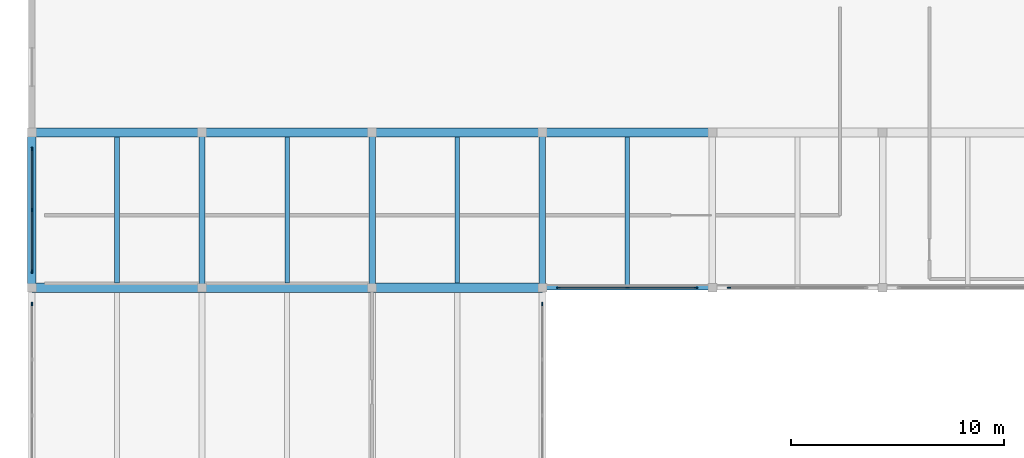
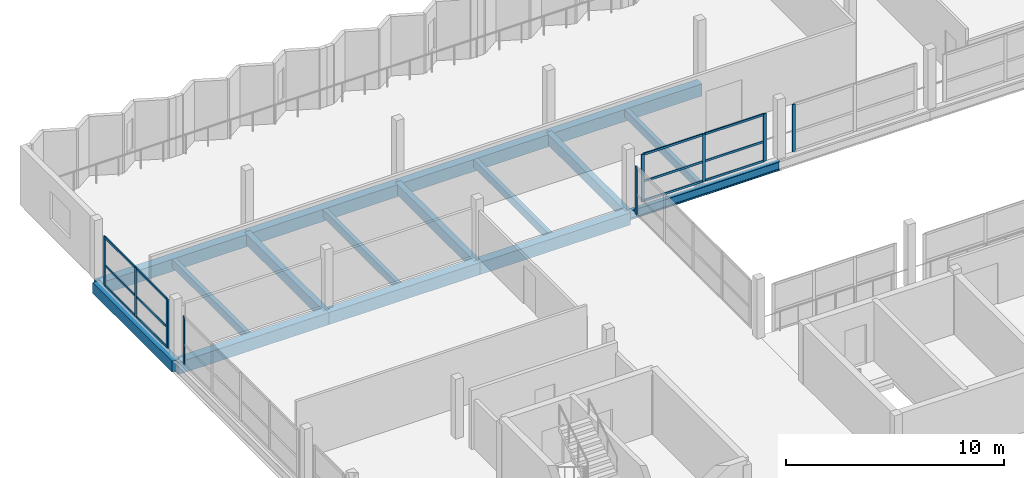
# One storey, part 22 of 51: 21 members, 16 beams, 5 elements without a shape of their own.
"""IFC4 building model written with IfcOpenShell, lengths in metres."""

from ifc_helpers import new_model, si_unit, direction, frame, origin, origin_2d, place, context, subcontext, project, spatial, rectangle, i_section, extrude, material, material_profile, profile_set, type_object, element, aggregate, save


model = new_model("IFC4")

# Units and contexts
model_context = context("Model", 3, precision=1e-05, world=origin(), true_north=direction((0.0, 1.0)))
body_context = subcontext(model_context, "Body", "Model", "MODEL_VIEW")
ifc_project = project(units=[si_unit("LENGTHUNIT", "METRE"), si_unit("AREAUNIT", "SQUARE_METRE"), si_unit("VOLUMEUNIT", "CUBIC_METRE"), si_unit("PLANEANGLEUNIT", "RADIAN"), si_unit("MASSUNIT", "GRAM", prefix="KILO")], contexts=[model_context])

# Site, building, storey
site_placement = place(None, origin())
site = spatial("IfcSite", under=ifc_project, at=site_placement, CompositionType="ELEMENT")
building_placement = place(site_placement, origin())
building = spatial("IfcBuilding", under=site, at=building_placement, Name="Vharandega Faculty of Natural Sciences", CompositionType="ELEMENT")
storey_placement = place(building_placement, frame((0.0, 0.0, 14.39990234375)))
storey = spatial("IfcBuildingStorey", under=building, at=storey_placement, Name="L03", CompositionType="ELEMENT", Elevation=14.39990234375)

# Curtain wall, member
ifc_material_1 = material(Name="Aluminium and solar-control glass curtain wall", Category="aluminium")
curtain_wall_type_1 = type_object("IfcCurtainWallType", Name="Unitised Curtain Wall System CW-10", PredefinedType="NOTDEFINED", material=ifc_material_1)
curtain_wall_1_placement = place(storey_placement, origin())
curtain_wall_1 = element("IfcCurtainWall", 1, at=curtain_wall_1_placement, inside=storey, type_object=curtain_wall_type_1, Name="Curtain Wall CW-L03-065", PredefinedType="NOTDEFINED")
ifc_material_2 = material(Name="Thermally broken aluminium 6063-T6", Category="aluminium")
ifc_material_profile_1 = material_profile(ifc_material_2, rectangle(XDim=0.06005859375, YDim=0.159912109375, at=origin_2d()), Name="ALU 60x160")
ifc_profile_set_1 = profile_set([ifc_material_profile_1], Name="Thermally broken aluminium 6063-T6")
member_type_1 = type_object("IfcMemberType", Name="CW Mullion 60x160", PredefinedType="MULLION", material=ifc_profile_set_1)
member_1_placement = place(storey_placement, frame((0.0, 96.22998046875, 0.0), z_axis=(0.0, 0.0, 1.0), x_axis=(-1.0, 0.0, 0.0)))
member_1 = element("IfcMember", 2, at=member_1_placement, type_object=member_type_1, Name="CW-10 mullion 5", PredefinedType="MULLION", context=body_context, shape_type="SweptSolid", body=[
    extrude(rectangle(XDim=0.06005859375, YDim=0.159912109375, at=origin_2d()), origin(), (0.0, 0.0, 1.0), 2.690185546875),
])
aggregate(curtain_wall_1, [member_1])

# Curtain wall, members
ifc_material_3 = material(Name="Aluminium and solar-control glass curtain wall", Category="aluminium")
curtain_wall_type_2 = type_object("IfcCurtainWallType", Name="Unitised Curtain Wall System CW-11", PredefinedType="NOTDEFINED", material=ifc_material_3)
curtain_wall_2_placement = place(storey_placement, origin())
curtain_wall_2 = element("IfcCurtainWall", 3, at=curtain_wall_2_placement, inside=storey, type_object=curtain_wall_type_2, Name="Curtain Wall CW-L03-066", PredefinedType="NOTDEFINED")
member_2_placement = place(storey_placement, frame((0.0, 97.77001953125, 0.0), z_axis=(0.0, 0.0, 1.0), x_axis=(-1.0, 0.0, 0.0)))
member_2 = element("IfcMember", 4, at=member_2_placement, type_object=member_type_1, Name="CW-11 mullion 1", PredefinedType="MULLION", context=body_context, shape_type="SweptSolid", body=[
    extrude(rectangle(XDim=0.06005859375, YDim=0.159912109375, at=origin_2d()), origin(), (0.0, 0.0, 1.0), 2.739990234375),
])
member_3_placement = place(storey_placement, frame((0.0, 100.64990234375, 0.0), z_axis=(0.0, 0.0, 1.0), x_axis=(-1.0, 0.0, 0.0)))
member_3 = element("IfcMember", 5, at=member_3_placement, type_object=member_type_1, Name="CW-11 mullion 2", PredefinedType="MULLION", context=body_context, shape_type="SweptSolid", body=[
    extrude(rectangle(XDim=0.06005859375, YDim=0.159912109375, at=origin_2d()), origin(), (0.0, 0.0, 1.0), 2.739990234375),
])
member_4_placement = place(storey_placement, frame((0.0, 103.530029296875, 0.0), z_axis=(0.0, 0.0, 1.0), x_axis=(-1.0, 0.0, 0.0)))
member_4 = element("IfcMember", 6, at=member_4_placement, type_object=member_type_1, Name="CW-11 mullion 3", PredefinedType="MULLION", context=body_context, shape_type="SweptSolid", body=[
    extrude(rectangle(XDim=0.06005859375, YDim=0.159912109375, at=origin_2d()), origin(), (0.0, 0.0, 1.0), 2.739990234375),
])

ifc_material_4 = material(Name="Aluminium and solar-control glass curtain wall", Category="aluminium")
curtain_wall_type_3 = type_object("IfcCurtainWallType", Name="Unitised Curtain Wall System CW-12", PredefinedType="NOTDEFINED", material=ifc_material_4)
curtain_wall_3_placement = place(storey_placement, origin())
curtain_wall_3 = element("IfcCurtainWall", 7, at=curtain_wall_3_placement, inside=storey, type_object=curtain_wall_type_3, Name="Curtain Wall CW-L03-067", PredefinedType="NOTDEFINED")
member_5_placement = place(storey_placement, frame((24.77001953125, 97.0, 0.0), z_axis=(0.0, 0.0, 1.0), x_axis=(0.0, 1.0, 0.0)))
member_5 = element("IfcMember", 8, at=member_5_placement, type_object=member_type_1, Name="CW-12 mullion 1", PredefinedType="MULLION", context=body_context, shape_type="SweptSolid", body=[
    extrude(rectangle(XDim=0.06005859375, YDim=0.159912109375, at=origin_2d()), origin(), (0.0, 0.0, 1.0), 2.66015625),
])
member_6_placement = place(storey_placement, frame((28.0, 97.0, 0.0), z_axis=(0.0, 0.0, 1.0), x_axis=(0.0, 1.0, 0.0)))
member_6 = element("IfcMember", 9, at=member_6_placement, type_object=member_type_1, Name="CW-12 mullion 2", PredefinedType="MULLION", context=body_context, shape_type="SweptSolid", body=[
    extrude(rectangle(XDim=0.06005859375, YDim=0.159912109375, at=origin_2d()), origin(), (0.0, 0.0, 1.0), 2.66015625),
])
member_7_placement = place(storey_placement, frame((31.22998046875, 97.0, 0.0), z_axis=(0.0, 0.0, 1.0), x_axis=(0.0, 1.0, 0.0)))
member_7 = element("IfcMember", 10, at=member_7_placement, type_object=member_type_1, Name="CW-12 mullion 3", PredefinedType="MULLION", context=body_context, shape_type="SweptSolid", body=[
    extrude(rectangle(XDim=0.06005859375, YDim=0.159912109375, at=origin_2d()), origin(), (0.0, 0.0, 1.0), 2.66015625),
])

# Curtain wall, member
ifc_material_5 = material(Name="Aluminium and solar-control glass curtain wall", Category="aluminium")
curtain_wall_type_4 = type_object("IfcCurtainWallType", Name="Unitised Curtain Wall System CW-13", PredefinedType="NOTDEFINED", material=ifc_material_5)
curtain_wall_4_placement = place(storey_placement, origin())
curtain_wall_4 = element("IfcCurtainWall", 11, at=curtain_wall_4_placement, inside=storey, type_object=curtain_wall_type_4, Name="Curtain Wall CW-L03-068", PredefinedType="NOTDEFINED")
member_8_placement = place(storey_placement, frame((32.77001953125, 97.0, 0.0), z_axis=(0.0, 0.0, 1.0), x_axis=(0.0, 1.0, 0.0)))
member_8 = element("IfcMember", 12, at=member_8_placement, type_object=member_type_1, Name="CW-13 mullion 1", PredefinedType="MULLION", context=body_context, shape_type="SweptSolid", body=[
    extrude(rectangle(XDim=0.06005859375, YDim=0.159912109375, at=origin_2d()), origin(), (0.0, 0.0, 1.0), 2.66015625),
])
aggregate(curtain_wall_4, [member_8])

ifc_material_6 = material(Name="Aluminium and solar-control glass curtain wall", Category="aluminium")
curtain_wall_type_5 = type_object("IfcCurtainWallType", Name="Unitised Curtain Wall System CW-18", PredefinedType="NOTDEFINED", material=ifc_material_6)
curtain_wall_5_placement = place(storey_placement, origin())
curtain_wall_5 = element("IfcCurtainWall", 13, at=curtain_wall_5_placement, inside=storey, type_object=curtain_wall_type_5, Name="Curtain Wall CW-L03-073", PredefinedType="NOTDEFINED")
member_9_placement = place(storey_placement, frame((24.0, 96.22998046875, 0.0), z_axis=(0.0, 0.0, 1.0), x_axis=(-1.0, 0.0, 0.0)))
member_9 = element("IfcMember", 14, at=member_9_placement, type_object=member_type_1, Name="CW-18 mullion 5", PredefinedType="MULLION", context=body_context, shape_type="SweptSolid", body=[
    extrude(rectangle(XDim=0.06005859375, YDim=0.159912109375, at=origin_2d()), origin(), (0.0, 0.0, 1.0), 2.690185546875),
])
aggregate(curtain_wall_5, [member_9])

# Member
ifc_material_7 = material(Name="Thermally broken aluminium 6063-T6", Category="aluminium")
ifc_material_profile_2 = material_profile(ifc_material_7, rectangle(XDim=0.06005859375, YDim=0.1201171875, at=origin_2d()), Name="ALU 60x120")
ifc_profile_set_2 = profile_set([ifc_material_profile_2], Name="Thermally broken aluminium 6063-T6")
member_type_2 = type_object("IfcMemberType", Name="CW Transom 60x120", PredefinedType="USERDEFINED", material=ifc_profile_set_2)
member_10_placement = place(storey_placement, frame((0.0, 97.800048828125, 0.030029296875), z_axis=(0.0, 1.0, 0.0), x_axis=(-1.0, 0.0, 0.0)))
member_10 = element("IfcMember", 15, at=member_10_placement, type_object=member_type_2, Name="CW-11 transom 1.1", ObjectType="TRANSOM", PredefinedType="USERDEFINED", context=body_context, shape_type="SweptSolid", body=[
    extrude(rectangle(XDim=0.06005859375, YDim=0.1201171875, at=origin_2d()), origin(), (0.0, 0.0, 1.0), 2.820068359375),
])

member_11_placement = place(storey_placement, frame((0.0, 97.800048828125, 1.15087890625), z_axis=(0.0, 1.0, 0.0), x_axis=(-1.0, 0.0, 0.0)))
member_11 = element("IfcMember", 16, at=member_11_placement, type_object=member_type_2, Name="CW-11 transom 1.2", ObjectType="TRANSOM", PredefinedType="USERDEFINED", context=body_context, shape_type="SweptSolid", body=[
    extrude(rectangle(XDim=0.06005859375, YDim=0.1201171875, at=origin_2d()), origin(), (0.0, 0.0, 1.0), 2.820068359375),
])

member_12_placement = place(storey_placement, frame((0.0, 97.800048828125, 2.710205078125), z_axis=(0.0, 1.0, 0.0), x_axis=(-1.0, 0.0, 0.0)))
member_12 = element("IfcMember", 17, at=member_12_placement, type_object=member_type_2, Name="CW-11 transom 1.3", ObjectType="TRANSOM", PredefinedType="USERDEFINED", context=body_context, shape_type="SweptSolid", body=[
    extrude(rectangle(XDim=0.06005859375, YDim=0.1201171875, at=origin_2d()), origin(), (0.0, 0.0, 1.0), 2.820068359375),
])

member_13_placement = place(storey_placement, frame((0.0, 100.679931640625, 0.030029296875), z_axis=(0.0, 1.0, 0.0), x_axis=(-1.0, 0.0, 0.0)))
member_13 = element("IfcMember", 18, at=member_13_placement, type_object=member_type_2, Name="CW-11 transom 2.1", ObjectType="TRANSOM", PredefinedType="USERDEFINED", context=body_context, shape_type="SweptSolid", body=[
    extrude(rectangle(XDim=0.06005859375, YDim=0.1201171875, at=origin_2d()), origin(), (0.0, 0.0, 1.0), 2.820068359375),
])

member_14_placement = place(storey_placement, frame((0.0, 100.679931640625, 1.15087890625), z_axis=(0.0, 1.0, 0.0), x_axis=(-1.0, 0.0, 0.0)))
member_14 = element("IfcMember", 19, at=member_14_placement, type_object=member_type_2, Name="CW-11 transom 2.2", ObjectType="TRANSOM", PredefinedType="USERDEFINED", context=body_context, shape_type="SweptSolid", body=[
    extrude(rectangle(XDim=0.06005859375, YDim=0.1201171875, at=origin_2d()), origin(), (0.0, 0.0, 1.0), 2.820068359375),
])

member_15_placement = place(storey_placement, frame((0.0, 100.679931640625, 2.710205078125), z_axis=(0.0, 1.0, 0.0), x_axis=(-1.0, 0.0, 0.0)))
member_15 = element("IfcMember", 20, at=member_15_placement, type_object=member_type_2, Name="CW-11 transom 2.3", ObjectType="TRANSOM", PredefinedType="USERDEFINED", context=body_context, shape_type="SweptSolid", body=[
    extrude(rectangle(XDim=0.06005859375, YDim=0.1201171875, at=origin_2d()), origin(), (0.0, 0.0, 1.0), 2.820068359375),
])

aggregate(curtain_wall_2, [member_2, member_3, member_4, member_10, member_11, member_12, member_13, member_14, member_15])

member_16_placement = place(storey_placement, frame((24.800048828125, 97.0, 0.030029296875), z_axis=(1.0, 0.0, 0.0), x_axis=(0.0, 1.0, 0.0)))
member_16 = element("IfcMember", 21, at=member_16_placement, type_object=member_type_2, Name="CW-12 transom 1.1", ObjectType="TRANSOM", PredefinedType="USERDEFINED", context=body_context, shape_type="SweptSolid", body=[
    extrude(rectangle(XDim=0.06005859375, YDim=0.1201171875, at=origin_2d()), origin(), (0.0, 0.0, 1.0), 3.169921875),
])

member_17_placement = place(storey_placement, frame((24.800048828125, 97.0, 1.1171875), z_axis=(1.0, 0.0, 0.0), x_axis=(0.0, 1.0, 0.0)))
member_17 = element("IfcMember", 22, at=member_17_placement, type_object=member_type_2, Name="CW-12 transom 1.2", ObjectType="TRANSOM", PredefinedType="USERDEFINED", context=body_context, shape_type="SweptSolid", body=[
    extrude(rectangle(XDim=0.06005859375, YDim=0.1201171875, at=origin_2d()), origin(), (0.0, 0.0, 1.0), 3.169921875),
])

member_18_placement = place(storey_placement, frame((24.800048828125, 97.0, 2.630126953125), z_axis=(1.0, 0.0, 0.0), x_axis=(0.0, 1.0, 0.0)))
member_18 = element("IfcMember", 23, at=member_18_placement, type_object=member_type_2, Name="CW-12 transom 1.3", ObjectType="TRANSOM", PredefinedType="USERDEFINED", context=body_context, shape_type="SweptSolid", body=[
    extrude(rectangle(XDim=0.06005859375, YDim=0.1201171875, at=origin_2d()), origin(), (0.0, 0.0, 1.0), 3.169921875),
])

member_19_placement = place(storey_placement, frame((28.030029296875, 97.0, 0.030029296875), z_axis=(1.0, 0.0, 0.0), x_axis=(0.0, 1.0, 0.0)))
member_19 = element("IfcMember", 24, at=member_19_placement, type_object=member_type_2, Name="CW-12 transom 2.1", ObjectType="TRANSOM", PredefinedType="USERDEFINED", context=body_context, shape_type="SweptSolid", body=[
    extrude(rectangle(XDim=0.06005859375, YDim=0.1201171875, at=origin_2d()), origin(), (0.0, 0.0, 1.0), 3.169921875),
])

member_20_placement = place(storey_placement, frame((28.030029296875, 97.0, 1.1171875), z_axis=(1.0, 0.0, 0.0), x_axis=(0.0, 1.0, 0.0)))
member_20 = element("IfcMember", 25, at=member_20_placement, type_object=member_type_2, Name="CW-12 transom 2.2", ObjectType="TRANSOM", PredefinedType="USERDEFINED", context=body_context, shape_type="SweptSolid", body=[
    extrude(rectangle(XDim=0.06005859375, YDim=0.1201171875, at=origin_2d()), origin(), (0.0, 0.0, 1.0), 3.169921875),
])

member_21_placement = place(storey_placement, frame((28.030029296875, 97.0, 2.630126953125), z_axis=(1.0, 0.0, 0.0), x_axis=(0.0, 1.0, 0.0)))
member_21 = element("IfcMember", 26, at=member_21_placement, type_object=member_type_2, Name="CW-12 transom 2.3", ObjectType="TRANSOM", PredefinedType="USERDEFINED", context=body_context, shape_type="SweptSolid", body=[
    extrude(rectangle(XDim=0.06005859375, YDim=0.1201171875, at=origin_2d()), origin(), (0.0, 0.0, 1.0), 3.169921875),
])

aggregate(curtain_wall_3, [member_5, member_6, member_7, member_16, member_17, member_18, member_19, member_20, member_21])

# Beams
ifc_material_8 = material(Name="Glulam GL28h", Category="wood")
ifc_material_profile_3 = material_profile(ifc_material_8, rectangle(XDim=0.300048828125, YDim=0.60009765625, at=origin_2d()), Name="GL28h 300x600")
ifc_profile_set_3 = profile_set([ifc_material_profile_3], Name="Glulam GL28h")
beam_type_1 = type_object("IfcBeamType", Name="Glulam Floor Beam 300x600", PredefinedType="BEAM", material=ifc_profile_set_3)
for number, where, z_axis, x_axis, name in (
    (27, (8.0, 97.0, -0.539794921875), (0.0, 1.0, 0.0), (-1.0, 0.0, 0.0), "Beam L03 2/N-P"),
    (28, (16.0, 97.0, -0.539794921875), (0.0, 1.0, 0.0), (-1.0, 0.0, 0.0), "Beam L03 3/N-P"),
    (29, (24.0, 97.0, -0.539794921875), (0.0, 1.0, 0.0), (-1.0, 0.0, 0.0), "Beam L03 4/N-P"),
):
    element("IfcBeam", number, at=place(storey_placement, frame(where, z_axis=z_axis, x_axis=x_axis)), inside=storey, type_object=beam_type_1, Name=name, PredefinedType="BEAM", context=body_context, shape_type="SweptSolid", body=[
        extrude(rectangle(XDim=0.300048828125, YDim=0.60009765625, at=origin_2d()), origin(), (0.0, 0.0, 1.0), 7.300048828125),
    ])
ifc_material_9 = material(Name="Glulam GL32h", Category="wood")
ifc_material_profile_4 = material_profile(ifc_material_9, rectangle(XDim=0.43994140625, YDim=0.679931640625, at=origin_2d()), Name="GL32h 440x680")
ifc_profile_set_4 = profile_set([ifc_material_profile_4], Name="Glulam GL32h")
beam_type_2 = type_object("IfcBeamType", Name="Glulam Girder 440x680", PredefinedType="BEAM", material=ifc_profile_set_4)
for number, where, z_axis, x_axis, name in (
    (30, (0.0, 97.0, -0.579833984375), (1.0, 0.0, 0.0), (0.0, 1.0, 0.0), "Beam L03 N/1-2"),
    (31, (8.0, 97.0, -0.579833984375), (1.0, 0.0, 0.0), (0.0, 1.0, 0.0), "Beam L03 N/2-3"),
    (32, (16.0, 97.0, -0.579833984375), (1.0, 0.0, 0.0), (0.0, 1.0, 0.0), "Beam L03 N/3-4"),
    (33, (0.0, 104.300048828125, -0.579833984375), (1.0, 0.0, 0.0), (0.0, 1.0, 0.0), "Beam L03 P/1-2"),
    (34, (8.0, 104.300048828125, -0.579833984375), (1.0, 0.0, 0.0), (0.0, 1.0, 0.0), "Beam L03 P/2-3"),
    (35, (16.0, 104.300048828125, -0.579833984375), (1.0, 0.0, 0.0), (0.0, 1.0, 0.0), "Beam L03 P/3-4"),
    (36, (24.0, 104.300048828125, -0.579833984375), (1.0, 0.0, 0.0), (0.0, 1.0, 0.0), "Beam L03 P/4-5"),
):
    element("IfcBeam", number, at=place(storey_placement, frame(where, z_axis=z_axis, x_axis=x_axis)), inside=storey, type_object=beam_type_2, Name=name, PredefinedType="BEAM", context=body_context, shape_type="SweptSolid", body=[
        extrude(rectangle(XDim=0.43994140625, YDim=0.679931640625, at=origin_2d()), origin(), (0.0, 0.0, 1.0), 8.0),
    ])
ifc_material_10 = material(Name="Glulam GL28h", Category="wood")
ifc_material_profile_5 = material_profile(ifc_material_10, rectangle(XDim=0.219970703125, YDim=0.43994140625, at=origin_2d()), Name="GL28h 220x440")
ifc_profile_set_5 = profile_set([ifc_material_profile_5], Name="Glulam GL28h")
beam_type_3 = type_object("IfcBeamType", Name="Glulam Secondary Joist 220x440", PredefinedType="JOIST", material=ifc_profile_set_5)
for number, where, z_axis, x_axis, name in (
    (37, (4.0, 97.219970703125, -0.4599609375), (0.0, 1.0, 0.0), (-1.0, 0.0, 0.0), "Secondary Joist L03 1-2/N-P"),
    (38, (12.0, 97.219970703125, -0.4599609375), (0.0, 1.0, 0.0), (-1.0, 0.0, 0.0), "Secondary Joist L03 2-3/N-P"),
    (39, (20.0, 97.219970703125, -0.4599609375), (0.0, 1.0, 0.0), (-1.0, 0.0, 0.0), "Secondary Joist L03 3-4/N-P"),
):
    element("IfcBeam", number, at=place(storey_placement, frame(where, z_axis=z_axis, x_axis=x_axis)), inside=storey, type_object=beam_type_3, Name=name, PredefinedType="JOIST", context=body_context, shape_type="SweptSolid", body=[
        extrude(rectangle(XDim=0.219970703125, YDim=0.43994140625, at=origin_2d()), origin(), (0.0, 0.0, 1.0), 6.860107421875),
    ])
beam_1_placement = place(storey_placement, frame((28.0, 97.10009765625, -0.4599609375), z_axis=(0.0, 1.0, 0.0), x_axis=(-1.0, 0.0, 0.0)))
element("IfcBeam", 40, at=beam_1_placement, inside=storey, type_object=beam_type_3, Name="Secondary Joist L03 4-5/N-P", PredefinedType="JOIST", context=body_context, shape_type="SweptSolid", body=[
    extrude(rectangle(XDim=0.219970703125, YDim=0.43994140625, at=origin_2d()), origin(), (0.0, 0.0, 1.0), 6.97998046875),
])
ifc_material_11 = material(Name="Glulam GL32h", Category="wood")
ifc_material_profile_6 = material_profile(ifc_material_11, rectangle(XDim=0.39990234375, YDim=0.60009765625, at=origin_2d()), Name="GL32h 400x600")
ifc_profile_set_6 = profile_set([ifc_material_profile_6], Name="Glulam GL32h")
beam_type_4 = type_object("IfcBeamType", Name="Glulam Spine Girder 400x600", PredefinedType="BEAM", material=ifc_profile_set_6)
beam_2_placement = place(storey_placement, frame((0.0, 97.0, -0.539794921875), z_axis=(0.0, 1.0, 0.0), x_axis=(-1.0, 0.0, 0.0)))
element("IfcBeam", 41, at=beam_2_placement, inside=storey, type_object=beam_type_4, Name="Beam L03 1/N-P", PredefinedType="BEAM", context=body_context, shape_type="SweptSolid", body=[
    extrude(rectangle(XDim=0.39990234375, YDim=0.60009765625, at=origin_2d()), origin(), (0.0, 0.0, 1.0), 7.300048828125),
])
ifc_material_12 = material(Name="Steel S355", Category="steel")
ifc_material_profile_7 = material_profile(ifc_material_12, i_section(OverallWidth=0.199951171875, OverallDepth=0.5, WebThickness=0.01025390625, FlangeThickness=0.01611328125, FilletRadius=0.02099609375, at=origin_2d()), Name="IPE 500")
ifc_profile_set_7 = profile_set([ifc_material_profile_7], Name="Steel S355")
beam_type_5 = type_object("IfcBeamType", Name="Steel Spandrel Beam IPE 500", PredefinedType="SPANDREL", material=ifc_profile_set_7)
beam_3_placement = place(storey_placement, frame((24.0, 97.0, -0.489990234375), z_axis=(1.0, 0.0, 0.0), x_axis=(0.0, 1.0, 0.0)))
element("IfcBeam", 42, at=beam_3_placement, inside=storey, type_object=beam_type_5, Name="Beam L03 N/4-5", PredefinedType="SPANDREL", context=body_context, shape_type="SweptSolid", body=[
    extrude(i_section(OverallWidth=0.199951171875, OverallDepth=0.5, WebThickness=0.01025390625, FlangeThickness=0.01611328125, FilletRadius=0.02099609375, at=origin_2d()), origin(), (0.0, 0.0, 1.0), 8.0),
])

save(model, "model.ifc")
